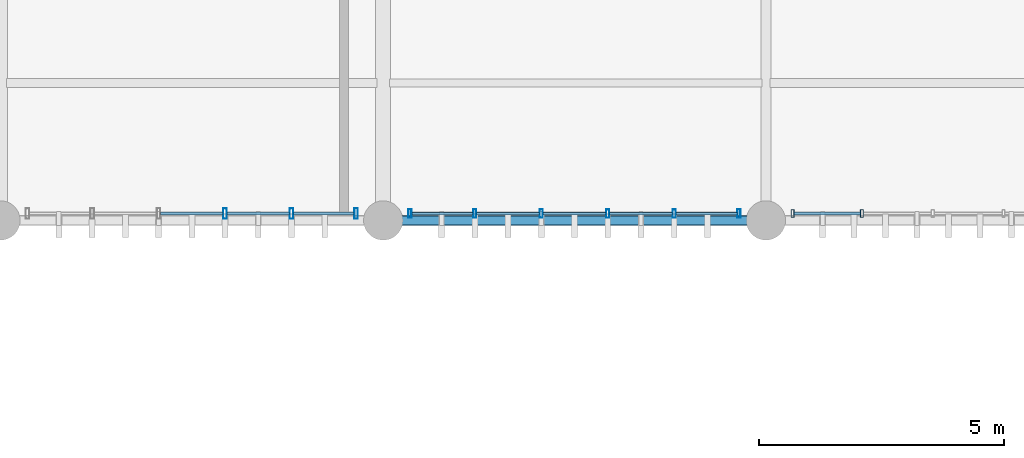
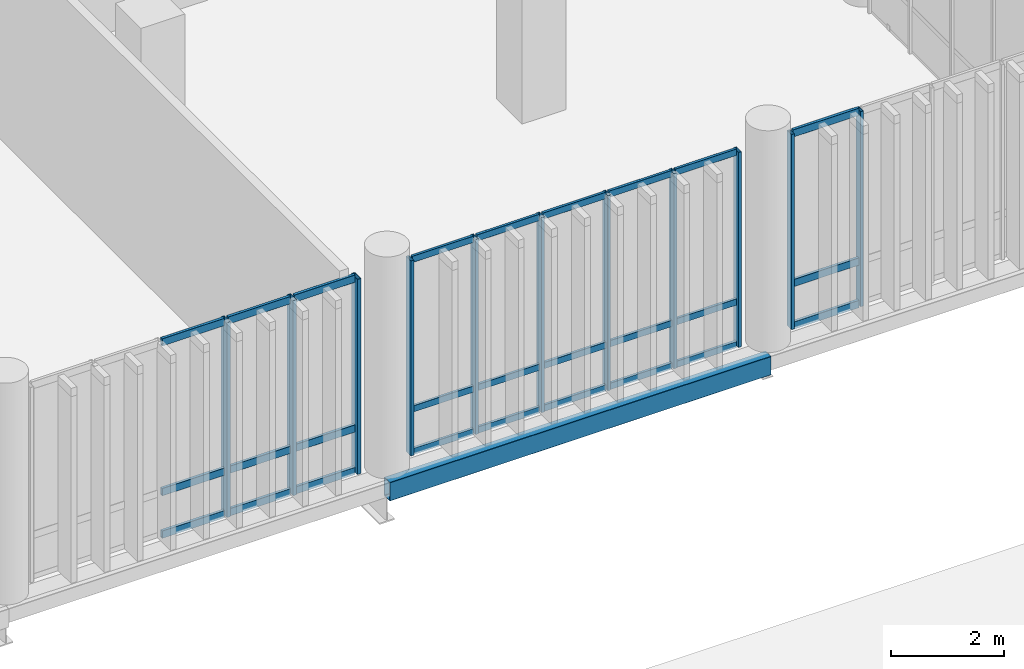
# One storey, part 65 of 109: 38 members, 1 beam, 3 elements without a shape of their own.
"""IFC4 building model written with IfcOpenShell, lengths in metres."""

import ifcopenshell
import ifcopenshell.guid

model = None  # the IFC model being written
_history = None  # IfcOwnerHistory: only IFC2X3 demands one
_inside = {}  # id of a spatial element -> (the spatial element, [elements in it])
_under = {}  # id of a project, library or spatial element -> (it, [spatial elements below it])
_declared = {}  # id of a project -> (the project, [libraries it declares])
_typed = {}  # id of a type object -> (the type object, [elements of that type])
_made_of = {}  # id of a material, layer set ... -> (it, [elements and type objects made of it])


def new_model(schema):
    """Start an empty IFC model of exactly this schema.

    Asked for "IFC4X3", IfcOpenShell would pick the latest addendum, in which some entities
    have other attributes; the version numbers below select the first issue.
    IFC2X3 requires an IfcOwnerHistory on every rooted entity: one is made here for all.
    """
    global model, _history
    if schema == "IFC4X3":
        model = ifcopenshell.file(schema_version=(4, 3, 0, 0))
    else:
        model = ifcopenshell.file(schema=schema)
    _inside.clear()
    _under.clear()
    _declared.clear()
    _typed.clear()
    _made_of.clear()
    _history = None
    if model.schema == "IFC2X3":
        org = make("IfcOrganization", Name="unknown")
        user = make(
            "IfcPersonAndOrganization",
            ThePerson=make("IfcPerson", FamilyName="unknown"),
            TheOrganization=org,
        )
        app = make(
            "IfcApplication",
            ApplicationDeveloper=org,
            Version="unknown",
            ApplicationFullName="unknown",
            ApplicationIdentifier="unknown",
        )
        _history = make(
            "IfcOwnerHistory",
            OwningUser=user,
            OwningApplication=app,
            ChangeAction="ADDED",
            CreationDate=0,
        )
    return model


def make(cls, **values):
    """One entity of the class cls with the attributes given. An attribute that is None is left unset."""
    return model.create_entity(
        cls, **{name: value for name, value in values.items() if value is not None}
    )


def rooted(cls, **values):
    """An entity with a GlobalId (a new one), such as an element, a storey or a relation."""
    return make(cls, GlobalId=ifcopenshell.guid.new(), OwnerHistory=_history, **values)


def si_unit(unit_type, name, prefix=None):
    """IfcSIUnit, for example si_unit("LENGTHUNIT", "METRE", prefix="MILLI")."""
    return make("IfcSIUnit", UnitType=unit_type, Prefix=prefix, Name=name)


def assignment(units):
    """IfcUnitAssignment: the units of a project."""
    return None if units is None else make("IfcUnitAssignment", Units=units)


def point(xyz):
    """IfcCartesianPoint."""
    return None if xyz is None else make("IfcCartesianPoint", Coordinates=xyz)


def direction(xyz):
    """IfcDirection."""
    return None if xyz is None else make("IfcDirection", DirectionRatios=xyz)


def frame(location, z_axis=None, x_axis=None):
    """IfcAxis2Placement3D, a coordinate frame: its origin and axes. An axis left out is left unset."""
    return make(
        "IfcAxis2Placement3D",
        Location=point(location),
        Axis=direction(z_axis),
        RefDirection=direction(x_axis),
    )


def frame_2d(location, x_axis=None):
    """IfcAxis2Placement2D, a coordinate frame in the plane: its origin and x axis."""
    return make(
        "IfcAxis2Placement2D", Location=point(location), RefDirection=direction(x_axis)
    )


def origin_with_axes():
    """The frame at (0, 0, 0) with the z axis (0, 0, 1) and the x axis (1, 0, 0) written out."""
    return frame((0.0, 0.0, 0.0), z_axis=(0.0, 0.0, 1.0), x_axis=(1.0, 0.0, 0.0))


def origin_2d_with_axis():
    """The frame at (0, 0) in the plane with the x axis (1, 0) written out."""
    return frame_2d((0.0, 0.0), x_axis=(1.0, 0.0))


def place(relative_to, where):
    """IfcLocalPlacement: puts the frame where relative to a parent placement (None: the world)."""
    return make(
        "IfcLocalPlacement", PlacementRelTo=relative_to, RelativePlacement=where
    )


def context(
    kind, dimensions, precision=None, world=None, true_north=None, identifier=None
):
    """IfcGeometricRepresentationContext, for example the 3D "Model" context."""
    return make(
        "IfcGeometricRepresentationContext",
        ContextIdentifier=identifier,
        ContextType=kind,
        CoordinateSpaceDimension=dimensions,
        Precision=precision,
        WorldCoordinateSystem=world,
        TrueNorth=true_north,
    )


def subcontext(parent, identifier, kind, view, scale=None):
    """IfcGeometricRepresentationSubContext, for example "Body" below "Model"."""
    return make(
        "IfcGeometricRepresentationSubContext",
        ContextIdentifier=identifier,
        ContextType=kind,
        ParentContext=parent,
        TargetScale=scale,
        TargetView=view,
    )


def project(units=None, contexts=None):
    """IfcProject with its units and contexts."""
    return rooted(
        "IfcProject",
        Name="project",
        RepresentationContexts=contexts,
        UnitsInContext=assignment(units),
    )


def spatial(cls, under=None, at=None, **own):
    """A site, building, storey or space (cls), placed at a placement, below another one or the project."""
    s = rooted(cls, ObjectPlacement=at, **own)
    if under is not None:
        _under.setdefault(under.id(), (under, []))[1].append(s)
    return s


def profile(cls, at=None, kind="AREA", **sizes):
    """A parametric profile (cls). Its sizes go by their IFC names, for example OverallWidth=200.0."""
    return make(cls, ProfileType=kind, Position=at, **sizes)


def hollow_rectangle(**sizes):
    """IfcRectangleHollowProfileDef."""
    return profile("IfcRectangleHollowProfileDef", **sizes)


def extrude(swept, where, along, depth):
    """IfcExtrudedAreaSolid: the profile swept, set in the frame where, extruded along a direction by depth."""
    return make(
        "IfcExtrudedAreaSolid",
        SweptArea=swept,
        Position=where,
        ExtrudedDirection=direction(along),
        Depth=depth,
    )


def shape(context_of_items, identifier, shape_type, items):
    """IfcShapeRepresentation: the items that make up one representation, for example the "Body"."""
    return make(
        "IfcShapeRepresentation",
        ContextOfItems=context_of_items,
        RepresentationIdentifier=identifier,
        RepresentationType=shape_type,
        Items=items,
    )


def material(Name=None, Category=None):
    """IfcMaterial."""
    return make("IfcMaterial", Name=Name, Category=Category)


def material_profile(
    of_material, cross_section, Name=None, Category=None, Priority=None
):
    """IfcMaterialProfile: a cross section and its material."""
    return make(
        "IfcMaterialProfile",
        Name=Name,
        Material=of_material,
        Profile=cross_section,
        Priority=Priority,
        Category=Category,
    )


def profile_set(profiles, Name=None, composite=None):
    """IfcMaterialProfileSet."""
    return make(
        "IfcMaterialProfileSet",
        Name=Name,
        MaterialProfiles=profiles,
        CompositeProfile=composite,
    )


def made_of(thing, what):
    """Note that an element or type object is made of a material, layer set ...; save() writes the relation."""
    if what is not None:
        _made_of.setdefault(what.id(), (what, []))[1].append(thing)
    return thing


def type_object(cls, material=None, **own):
    """A type object (cls), such as IfcWallType, which elements share."""
    return made_of(rooted(cls, **own), material)


def element(
    cls,
    number,
    at=None,
    inside=None,
    cuts=None,
    type_object=None,
    material=None,
    context=None,
    identifier="Body",
    shape_type=None,
    held_by="IfcProductDefinitionShape",
    body=None,
    shapes=None,
    **own,
):
    """One element of the class cls, such as IfcWall. Its Tag is "e" and its number.

    at: its placement. inside: the storey or other place that contains it. cuts: it is an
    opening in that element (IfcRelVoidsElement). A single representation is given by context,
    identifier, shape_type and body (its items); several are given by shapes. held_by: the class
    of the entity that holds the representations. save() writes the other relations.
    """
    e = rooted(cls, Tag="e%d" % number, ObjectPlacement=at, **own)
    if body is not None:
        shapes = [shape(context, identifier, shape_type, body)]
    if shapes is not None:
        e.Representation = make(held_by, Representations=shapes)
    if inside is not None:
        _inside.setdefault(inside.id(), (inside, []))[1].append(e)
    if cuts is not None:
        rooted(
            "IfcRelVoidsElement", RelatingBuildingElement=cuts, RelatedOpeningElement=e
        )
    if type_object is not None:
        _typed.setdefault(type_object.id(), (type_object, []))[1].append(e)
    return made_of(e, material)


def aggregate(whole, parts):
    """IfcRelAggregates: a whole, such as a stair, and the parts it consists of."""
    return rooted("IfcRelAggregates", RelatingObject=whole, RelatedObjects=parts)


def save(model, path):
    """Write the relations noted so far, then the file.

    IfcRelAggregates (storeys below a building ...), IfcRelContainedInSpatialStructure (elements
    in a storey), IfcRelDefinesByType, IfcRelAssociatesMaterial and IfcRelDeclares: one each for
    every whole, place, type object, material and project.
    """
    for whole, parts in _under.values():
        aggregate(whole, parts)
    for where, things in _inside.values():
        rooted(
            "IfcRelContainedInSpatialStructure",
            RelatedElements=things,
            RelatingStructure=where,
        )
    for kind, things in _typed.values():
        rooted("IfcRelDefinesByType", RelatedObjects=things, RelatingType=kind)
    for what, things in _made_of.values():
        rooted("IfcRelAssociatesMaterial", RelatedObjects=things, RelatingMaterial=what)
    for by, libraries in _declared.values():
        rooted("IfcRelDeclares", RelatingContext=by, RelatedDefinitions=libraries)
    model.write(path)


model = new_model("IFC4")

# Units and contexts
model_context = context("Model", 3, precision=1e-05, world=origin_with_axes(), true_north=direction((0.0, 1.0)))
body_context = subcontext(model_context, "Body", "Model", "MODEL_VIEW")
ifc_project = project(units=[si_unit("LENGTHUNIT", "METRE"), si_unit("AREAUNIT", "SQUARE_METRE"), si_unit("VOLUMEUNIT", "CUBIC_METRE"), si_unit("PLANEANGLEUNIT", "RADIAN"), si_unit("MASSUNIT", "GRAM", prefix="KILO"), si_unit("THERMODYNAMICTEMPERATUREUNIT", "KELVIN")], contexts=[model_context])

# Site, building, storey
site_placement = place(None, origin_with_axes())
site = spatial("IfcSite", under=ifc_project, at=site_placement, CompositionType="ELEMENT")
building_placement = place(site_placement, origin_with_axes())
building = spatial("IfcBuilding", under=site, at=building_placement, Name="Montbau Bow Law Courts", CompositionType="ELEMENT")
storey_placement = place(building_placement, frame((0.0, 0.0, 10.8), z_axis=(0.0, 0.0, 1.0), x_axis=(1.0, 0.0, 0.0)))
storey = spatial("IfcBuildingStorey", under=building, at=storey_placement, Name="L02", CompositionType="ELEMENT", Elevation=10.8)

# Beam
ifc_material_1 = material(Name="Steel CSA G40.21 Grade 350WT (350 MPa)", Category="steel")
ifc_material_profile_1 = material_profile(ifc_material_1, hollow_rectangle(XDim=0.203, YDim=0.406, WallThickness=0.0127, InnerFilletRadius=0.0254, OuterFilletRadius=0.0127, at=origin_2d_with_axis()), Name="HSS406X203X13", Category="Main", Priority=0)
ifc_profile_set_1 = profile_set([ifc_material_profile_1], Name="Steel CSA G40.21 Grade 350WT (350 MPa)")
beam_type = type_object("IfcBeamType", Name="B-SPN-01", PredefinedType="SPANDREL", material=ifc_profile_set_1)
beam_placement = place(None, frame((154.8, 69.6, 10.297), z_axis=(1.0, 0.0, 0.0), x_axis=(0.0, 1.0, 0.0)))
element("IfcBeam", 1, at=beam_placement, inside=storey, type_object=beam_type, Name="SPN-L02-S1167:bm2_1170", PredefinedType="SPANDREL", context=body_context, shape_type="SweptSolid", body=[
    extrude(hollow_rectangle(XDim=0.203, YDim=0.406, WallThickness=0.0127, InnerFilletRadius=0.0254, OuterFilletRadius=0.0127, at=origin_2d_with_axis()), origin_with_axes(), (0.0, 0.0, 1.0), 7.8),
])

# Curtain wall, members
ifc_material_2 = material(Name="Thermally Broken Extruded Aluminium AA 6063-T6", Category="aluminium")
curtain_wall_type = type_object("IfcCurtainWallType", Name="CW-SLT-01", PredefinedType="NOTDEFINED", material=ifc_material_2)
curtain_wall_1_placement = place(None, frame((147.515, 69.74, 10.8), z_axis=(0.0, 0.0, 1.0), x_axis=(1.0, 0.0, 0.0)))
curtain_wall_1 = element("IfcCurtainWall", 2, at=curtain_wall_1_placement, inside=storey, type_object=curtain_wall_type, Name="CW-L02-294:cw_0294", PredefinedType="NOTDEFINED")
ifc_material_profile_2 = material_profile(ifc_material_2, hollow_rectangle(XDim=0.075, YDim=0.22, WallThickness=0.005, InnerFilletRadius=0.01, OuterFilletRadius=0.005, at=origin_2d_with_axis()), Name="CWM-220X75", Category="Main", Priority=0)
ifc_profile_set_2 = profile_set([ifc_material_profile_2], Name="Thermally Broken Extruded Aluminium AA 6063-T6")
member_type_1 = type_object("IfcMemberType", Name="M-MUL-01", PredefinedType="MULLION", material=ifc_profile_set_2)
member_1_placement = place(None, frame((151.577, 69.74, 10.8), z_axis=(0.0, 0.0, 1.0), x_axis=(1.0, 0.0, 0.0)))
member_1 = element("IfcMember", 3, at=member_1_placement, type_object=member_type_1, Name="CW-L02-294-M04:cw_0294_M04", PredefinedType="MULLION", context=body_context, shape_type="SweptSolid", body=[
    extrude(hollow_rectangle(XDim=0.075, YDim=0.22, WallThickness=0.005, InnerFilletRadius=0.01, OuterFilletRadius=0.005, at=origin_2d_with_axis()), origin_with_axes(), (0.0, 0.0, 1.0), 4.22),
])
member_2_placement = place(None, frame((152.931, 69.74, 10.8), z_axis=(0.0, 0.0, 1.0), x_axis=(1.0, 0.0, 0.0)))
member_2 = element("IfcMember", 4, at=member_2_placement, type_object=member_type_1, Name="CW-L02-294-M05:cw_0294_M05", PredefinedType="MULLION", context=body_context, shape_type="SweptSolid", body=[
    extrude(hollow_rectangle(XDim=0.075, YDim=0.22, WallThickness=0.005, InnerFilletRadius=0.01, OuterFilletRadius=0.005, at=origin_2d_with_axis()), origin_with_axes(), (0.0, 0.0, 1.0), 4.22),
])
member_3_placement = place(None, frame((154.248, 69.74, 10.8), z_axis=(0.0, 0.0, 1.0), x_axis=(1.0, 0.0, 0.0)))
member_3 = element("IfcMember", 5, at=member_3_placement, type_object=member_type_1, Name="CW-L02-294-M06:cw_0294_M06", PredefinedType="MULLION", context=body_context, shape_type="SweptSolid", body=[
    extrude(hollow_rectangle(XDim=0.075, YDim=0.22, WallThickness=0.005, InnerFilletRadius=0.01, OuterFilletRadius=0.005, at=origin_2d_with_axis()), origin_with_axes(), (0.0, 0.0, 1.0), 4.22),
])

curtain_wall_2_placement = place(None, frame((155.315, 69.74, 10.8), z_axis=(0.0, 0.0, 1.0), x_axis=(1.0, 0.0, 0.0)))
curtain_wall_2 = element("IfcCurtainWall", 6, at=curtain_wall_2_placement, inside=storey, type_object=curtain_wall_type, Name="CW-L02-295:cw_0295", PredefinedType="NOTDEFINED")
ifc_material_profile_3 = material_profile(ifc_material_2, hollow_rectangle(XDim=0.065, YDim=0.18, WallThickness=0.005, InnerFilletRadius=0.01, OuterFilletRadius=0.005, at=origin_2d_with_axis()), Name="CWM-180X65", Category="Main", Priority=0)
ifc_profile_set_3 = profile_set([ifc_material_profile_3], Name="Thermally Broken Extruded Aluminium AA 6063-T6")
member_type_2 = type_object("IfcMemberType", Name="M-MUL-02", PredefinedType="MULLION", material=ifc_profile_set_3)
member_4_placement = place(None, frame((155.348, 69.74, 10.8), z_axis=(0.0, 0.0, 1.0), x_axis=(1.0, 0.0, 0.0)))
member_4 = element("IfcMember", 7, at=member_4_placement, type_object=member_type_2, Name="CW-L02-295-M01:cw_0295_M01", PredefinedType="MULLION", context=body_context, shape_type="SweptSolid", body=[
    extrude(hollow_rectangle(XDim=0.065, YDim=0.18, WallThickness=0.005, InnerFilletRadius=0.01, OuterFilletRadius=0.005, at=origin_2d_with_axis()), origin_with_axes(), (0.0, 0.0, 1.0), 4.22),
])
member_5_placement = place(None, frame((156.669, 69.74, 10.8), z_axis=(0.0, 0.0, 1.0), x_axis=(1.0, 0.0, 0.0)))
member_5 = element("IfcMember", 8, at=member_5_placement, type_object=member_type_2, Name="CW-L02-295-M02:cw_0295_M02", PredefinedType="MULLION", context=body_context, shape_type="SweptSolid", body=[
    extrude(hollow_rectangle(XDim=0.065, YDim=0.18, WallThickness=0.005, InnerFilletRadius=0.01, OuterFilletRadius=0.005, at=origin_2d_with_axis()), origin_with_axes(), (0.0, 0.0, 1.0), 4.22),
])
member_6_placement = place(None, frame((158.023, 69.74, 10.8), z_axis=(0.0, 0.0, 1.0), x_axis=(1.0, 0.0, 0.0)))
member_6 = element("IfcMember", 9, at=member_6_placement, type_object=member_type_2, Name="CW-L02-295-M03:cw_0295_M03", PredefinedType="MULLION", context=body_context, shape_type="SweptSolid", body=[
    extrude(hollow_rectangle(XDim=0.065, YDim=0.18, WallThickness=0.005, InnerFilletRadius=0.01, OuterFilletRadius=0.005, at=origin_2d_with_axis()), origin_with_axes(), (0.0, 0.0, 1.0), 4.22),
])
member_7_placement = place(None, frame((159.377, 69.74, 10.8), z_axis=(0.0, 0.0, 1.0), x_axis=(1.0, 0.0, 0.0)))
member_7 = element("IfcMember", 10, at=member_7_placement, type_object=member_type_2, Name="CW-L02-295-M04:cw_0295_M04", PredefinedType="MULLION", context=body_context, shape_type="SweptSolid", body=[
    extrude(hollow_rectangle(XDim=0.065, YDim=0.18, WallThickness=0.005, InnerFilletRadius=0.01, OuterFilletRadius=0.005, at=origin_2d_with_axis()), origin_with_axes(), (0.0, 0.0, 1.0), 4.22),
])
member_8_placement = place(None, frame((160.731, 69.74, 10.8), z_axis=(0.0, 0.0, 1.0), x_axis=(1.0, 0.0, 0.0)))
member_8 = element("IfcMember", 11, at=member_8_placement, type_object=member_type_2, Name="CW-L02-295-M05:cw_0295_M05", PredefinedType="MULLION", context=body_context, shape_type="SweptSolid", body=[
    extrude(hollow_rectangle(XDim=0.065, YDim=0.18, WallThickness=0.005, InnerFilletRadius=0.01, OuterFilletRadius=0.005, at=origin_2d_with_axis()), origin_with_axes(), (0.0, 0.0, 1.0), 4.22),
])
member_9_placement = place(None, frame((162.053, 69.74, 10.8), z_axis=(0.0, 0.0, 1.0), x_axis=(1.0, 0.0, 0.0)))
member_9 = element("IfcMember", 12, at=member_9_placement, type_object=member_type_2, Name="CW-L02-295-M06:cw_0295_M06", PredefinedType="MULLION", context=body_context, shape_type="SweptSolid", body=[
    extrude(hollow_rectangle(XDim=0.065, YDim=0.18, WallThickness=0.005, InnerFilletRadius=0.01, OuterFilletRadius=0.005, at=origin_2d_with_axis()), origin_with_axes(), (0.0, 0.0, 1.0), 4.22),
])

curtain_wall_3_placement = place(None, frame((163.115, 69.74, 10.8), z_axis=(0.0, 0.0, 1.0), x_axis=(1.0, 0.0, 0.0)))
curtain_wall_3 = element("IfcCurtainWall", 13, at=curtain_wall_3_placement, inside=storey, type_object=curtain_wall_type, Name="CW-L02-296:cw_0296", PredefinedType="NOTDEFINED")
ifc_material_profile_4 = material_profile(ifc_material_2, hollow_rectangle(XDim=0.06, YDim=0.16, WallThickness=0.004, InnerFilletRadius=0.008, OuterFilletRadius=0.004, at=origin_2d_with_axis()), Name="CWM-160X60", Category="Main", Priority=0)
ifc_profile_set_4 = profile_set([ifc_material_profile_4], Name="Thermally Broken Extruded Aluminium AA 6063-T6")
member_type_3 = type_object("IfcMemberType", Name="M-MUL-03", PredefinedType="MULLION", material=ifc_profile_set_4)
member_10_placement = place(None, frame((163.145, 69.74, 10.8), z_axis=(0.0, 0.0, 1.0), x_axis=(1.0, 0.0, 0.0)))
member_10 = element("IfcMember", 14, at=member_10_placement, type_object=member_type_3, Name="CW-L02-296-M01:cw_0296_M01", PredefinedType="MULLION", context=body_context, shape_type="SweptSolid", body=[
    extrude(hollow_rectangle(XDim=0.06, YDim=0.16, WallThickness=0.004, InnerFilletRadius=0.008, OuterFilletRadius=0.004, at=origin_2d_with_axis()), origin_with_axes(), (0.0, 0.0, 1.0), 4.22),
])
member_11_placement = place(None, frame((164.557, 69.74, 10.8), z_axis=(0.0, 0.0, 1.0), x_axis=(1.0, 0.0, 0.0)))
member_11 = element("IfcMember", 15, at=member_11_placement, type_object=member_type_3, Name="CW-L02-296-M02:cw_0296_M02", PredefinedType="MULLION", context=body_context, shape_type="SweptSolid", body=[
    extrude(hollow_rectangle(XDim=0.06, YDim=0.16, WallThickness=0.004, InnerFilletRadius=0.008, OuterFilletRadius=0.004, at=origin_2d_with_axis()), origin_with_axes(), (0.0, 0.0, 1.0), 4.22),
])

# Member
ifc_material_profile_5 = material_profile(ifc_material_2, hollow_rectangle(XDim=0.06, YDim=0.16, WallThickness=0.004, InnerFilletRadius=0.008, OuterFilletRadius=0.004, at=origin_2d_with_axis()), Name="CWT-160X60", Category="Main", Priority=0)
ifc_profile_set_5 = profile_set([ifc_material_profile_5], Name="Thermally Broken Extruded Aluminium AA 6063-T6")
member_type_4 = type_object("IfcMemberType", Name="M-TRN-01", PredefinedType="USERDEFINED", material=ifc_profile_set_5)
member_12_placement = place(None, frame((150.263, 69.74, 10.83), z_axis=(1.0, 0.0, 0.0), x_axis=(0.0, 1.0, 0.0)))
member_12 = element("IfcMember", 16, at=member_12_placement, type_object=member_type_4, Name="CW-L02-294-T03-1:cw_0294_T03_1", ObjectType="TRANSOM", PredefinedType="USERDEFINED", context=body_context, shape_type="SweptSolid", body=[
    extrude(hollow_rectangle(XDim=0.06, YDim=0.16, WallThickness=0.004, InnerFilletRadius=0.008, OuterFilletRadius=0.004, at=origin_2d_with_axis()), origin_with_axes(), (0.0, 0.0, 1.0), 1.275),
])

member_13_placement = place(None, frame((150.263, 69.74, 11.75), z_axis=(1.0, 0.0, 0.0), x_axis=(0.0, 1.0, 0.0)))
member_13 = element("IfcMember", 17, at=member_13_placement, type_object=member_type_4, Name="CW-L02-294-T03-2:cw_0294_T03_2", ObjectType="TRANSOM", PredefinedType="USERDEFINED", context=body_context, shape_type="SweptSolid", body=[
    extrude(hollow_rectangle(XDim=0.06, YDim=0.16, WallThickness=0.004, InnerFilletRadius=0.008, OuterFilletRadius=0.004, at=origin_2d_with_axis()), origin_with_axes(), (0.0, 0.0, 1.0), 1.275),
])

member_14_placement = place(None, frame((150.263, 69.74, 14.99), z_axis=(1.0, 0.0, 0.0), x_axis=(0.0, 1.0, 0.0)))
member_14 = element("IfcMember", 18, at=member_14_placement, type_object=member_type_4, Name="CW-L02-294-T03-3:cw_0294_T03_3", ObjectType="TRANSOM", PredefinedType="USERDEFINED", context=body_context, shape_type="SweptSolid", body=[
    extrude(hollow_rectangle(XDim=0.06, YDim=0.16, WallThickness=0.004, InnerFilletRadius=0.008, OuterFilletRadius=0.004, at=origin_2d_with_axis()), origin_with_axes(), (0.0, 0.0, 1.0), 1.275),
])

member_15_placement = place(None, frame((151.616, 69.74, 10.83), z_axis=(1.0, 0.0, 0.0), x_axis=(0.0, 1.0, 0.0)))
member_15 = element("IfcMember", 19, at=member_15_placement, type_object=member_type_4, Name="CW-L02-294-T04-1:cw_0294_T04_1", ObjectType="TRANSOM", PredefinedType="USERDEFINED", context=body_context, shape_type="SweptSolid", body=[
    extrude(hollow_rectangle(XDim=0.06, YDim=0.16, WallThickness=0.004, InnerFilletRadius=0.008, OuterFilletRadius=0.004, at=origin_2d_with_axis()), origin_with_axes(), (0.0, 0.0, 1.0), 1.276),
])

member_16_placement = place(None, frame((151.616, 69.74, 11.75), z_axis=(1.0, 0.0, 0.0), x_axis=(0.0, 1.0, 0.0)))
member_16 = element("IfcMember", 20, at=member_16_placement, type_object=member_type_4, Name="CW-L02-294-T04-2:cw_0294_T04_2", ObjectType="TRANSOM", PredefinedType="USERDEFINED", context=body_context, shape_type="SweptSolid", body=[
    extrude(hollow_rectangle(XDim=0.06, YDim=0.16, WallThickness=0.004, InnerFilletRadius=0.008, OuterFilletRadius=0.004, at=origin_2d_with_axis()), origin_with_axes(), (0.0, 0.0, 1.0), 1.276),
])

member_17_placement = place(None, frame((151.616, 69.74, 14.99), z_axis=(1.0, 0.0, 0.0), x_axis=(0.0, 1.0, 0.0)))
member_17 = element("IfcMember", 21, at=member_17_placement, type_object=member_type_4, Name="CW-L02-294-T04-3:cw_0294_T04_3", ObjectType="TRANSOM", PredefinedType="USERDEFINED", context=body_context, shape_type="SweptSolid", body=[
    extrude(hollow_rectangle(XDim=0.06, YDim=0.16, WallThickness=0.004, InnerFilletRadius=0.008, OuterFilletRadius=0.004, at=origin_2d_with_axis()), origin_with_axes(), (0.0, 0.0, 1.0), 1.276),
])

member_18_placement = place(None, frame((152.97, 69.74, 10.83), z_axis=(1.0, 0.0, 0.0), x_axis=(0.0, 1.0, 0.0)))
member_18 = element("IfcMember", 22, at=member_18_placement, type_object=member_type_4, Name="CW-L02-294-T05-1:cw_0294_T05_1", ObjectType="TRANSOM", PredefinedType="USERDEFINED", context=body_context, shape_type="SweptSolid", body=[
    extrude(hollow_rectangle(XDim=0.06, YDim=0.16, WallThickness=0.004, InnerFilletRadius=0.008, OuterFilletRadius=0.004, at=origin_2d_with_axis()), origin_with_axes(), (0.0, 0.0, 1.0), 1.239),
])

member_19_placement = place(None, frame((152.97, 69.74, 11.75), z_axis=(1.0, 0.0, 0.0), x_axis=(0.0, 1.0, 0.0)))
member_19 = element("IfcMember", 23, at=member_19_placement, type_object=member_type_4, Name="CW-L02-294-T05-2:cw_0294_T05_2", ObjectType="TRANSOM", PredefinedType="USERDEFINED", context=body_context, shape_type="SweptSolid", body=[
    extrude(hollow_rectangle(XDim=0.06, YDim=0.16, WallThickness=0.004, InnerFilletRadius=0.008, OuterFilletRadius=0.004, at=origin_2d_with_axis()), origin_with_axes(), (0.0, 0.0, 1.0), 1.239),
])

member_20_placement = place(None, frame((152.97, 69.74, 14.99), z_axis=(1.0, 0.0, 0.0), x_axis=(0.0, 1.0, 0.0)))
member_20 = element("IfcMember", 24, at=member_20_placement, type_object=member_type_4, Name="CW-L02-294-T05-3:cw_0294_T05_3", ObjectType="TRANSOM", PredefinedType="USERDEFINED", context=body_context, shape_type="SweptSolid", body=[
    extrude(hollow_rectangle(XDim=0.06, YDim=0.16, WallThickness=0.004, InnerFilletRadius=0.008, OuterFilletRadius=0.004, at=origin_2d_with_axis()), origin_with_axes(), (0.0, 0.0, 1.0), 1.239),
])

aggregate(curtain_wall_1, [member_1, member_2, member_3, member_12, member_13, member_14, member_15, member_16, member_17, member_18, member_19, member_20])

member_21_placement = place(None, frame((163.177, 69.74, 10.83), z_axis=(1.0, 0.0, 0.0), x_axis=(0.0, 1.0, 0.0)))
member_21 = element("IfcMember", 25, at=member_21_placement, type_object=member_type_4, Name="CW-L02-296-T01-1:cw_0296_T01_1", ObjectType="TRANSOM", PredefinedType="USERDEFINED", context=body_context, shape_type="SweptSolid", body=[
    extrude(hollow_rectangle(XDim=0.06, YDim=0.16, WallThickness=0.004, InnerFilletRadius=0.008, OuterFilletRadius=0.004, at=origin_2d_with_axis()), origin_with_axes(), (0.0, 0.0, 1.0), 1.348),
])

member_22_placement = place(None, frame((163.177, 69.74, 11.75), z_axis=(1.0, 0.0, 0.0), x_axis=(0.0, 1.0, 0.0)))
member_22 = element("IfcMember", 26, at=member_22_placement, type_object=member_type_4, Name="CW-L02-296-T01-2:cw_0296_T01_2", ObjectType="TRANSOM", PredefinedType="USERDEFINED", context=body_context, shape_type="SweptSolid", body=[
    extrude(hollow_rectangle(XDim=0.06, YDim=0.16, WallThickness=0.004, InnerFilletRadius=0.008, OuterFilletRadius=0.004, at=origin_2d_with_axis()), origin_with_axes(), (0.0, 0.0, 1.0), 1.348),
])

member_23_placement = place(None, frame((163.177, 69.74, 14.99), z_axis=(1.0, 0.0, 0.0), x_axis=(0.0, 1.0, 0.0)))
member_23 = element("IfcMember", 27, at=member_23_placement, type_object=member_type_4, Name="CW-L02-296-T01-3:cw_0296_T01_3", ObjectType="TRANSOM", PredefinedType="USERDEFINED", context=body_context, shape_type="SweptSolid", body=[
    extrude(hollow_rectangle(XDim=0.06, YDim=0.16, WallThickness=0.004, InnerFilletRadius=0.008, OuterFilletRadius=0.004, at=origin_2d_with_axis()), origin_with_axes(), (0.0, 0.0, 1.0), 1.348),
])

aggregate(curtain_wall_3, [member_10, member_11, member_21, member_22, member_23])

ifc_material_profile_6 = material_profile(ifc_material_2, hollow_rectangle(XDim=0.055, YDim=0.14, WallThickness=0.004, InnerFilletRadius=0.008, OuterFilletRadius=0.004, at=origin_2d_with_axis()), Name="CWT-140X55", Category="Main", Priority=0)
ifc_profile_set_6 = profile_set([ifc_material_profile_6], Name="Thermally Broken Extruded Aluminium AA 6063-T6")
member_type_5 = type_object("IfcMemberType", Name="M-TRN-02", PredefinedType="USERDEFINED", material=ifc_profile_set_6)
member_24_placement = place(None, frame((155.383, 69.74, 10.828), z_axis=(1.0, 0.0, 0.0), x_axis=(0.0, 1.0, 0.0)))
member_24 = element("IfcMember", 28, at=member_24_placement, type_object=member_type_5, Name="CW-L02-295-T01-1:cw_0295_T01_1", ObjectType="TRANSOM", PredefinedType="USERDEFINED", context=body_context, shape_type="SweptSolid", body=[
    extrude(hollow_rectangle(XDim=0.055, YDim=0.14, WallThickness=0.004, InnerFilletRadius=0.008, OuterFilletRadius=0.004, at=origin_2d_with_axis()), origin_with_axes(), (0.0, 0.0, 1.0), 1.252),
])

member_25_placement = place(None, frame((155.383, 69.74, 11.75), z_axis=(1.0, 0.0, 0.0), x_axis=(0.0, 1.0, 0.0)))
member_25 = element("IfcMember", 29, at=member_25_placement, type_object=member_type_5, Name="CW-L02-295-T01-2:cw_0295_T01_2", ObjectType="TRANSOM", PredefinedType="USERDEFINED", context=body_context, shape_type="SweptSolid", body=[
    extrude(hollow_rectangle(XDim=0.055, YDim=0.14, WallThickness=0.004, InnerFilletRadius=0.008, OuterFilletRadius=0.004, at=origin_2d_with_axis()), origin_with_axes(), (0.0, 0.0, 1.0), 1.252),
])

member_26_placement = place(None, frame((155.383, 69.74, 14.992), z_axis=(1.0, 0.0, 0.0), x_axis=(0.0, 1.0, 0.0)))
member_26 = element("IfcMember", 30, at=member_26_placement, type_object=member_type_5, Name="CW-L02-295-T01-3:cw_0295_T01_3", ObjectType="TRANSOM", PredefinedType="USERDEFINED", context=body_context, shape_type="SweptSolid", body=[
    extrude(hollow_rectangle(XDim=0.055, YDim=0.14, WallThickness=0.004, InnerFilletRadius=0.008, OuterFilletRadius=0.004, at=origin_2d_with_axis()), origin_with_axes(), (0.0, 0.0, 1.0), 1.252),
])

member_27_placement = place(None, frame((156.704, 69.74, 10.828), z_axis=(1.0, 0.0, 0.0), x_axis=(0.0, 1.0, 0.0)))
member_27 = element("IfcMember", 31, at=member_27_placement, type_object=member_type_5, Name="CW-L02-295-T02-1:cw_0295_T02_1", ObjectType="TRANSOM", PredefinedType="USERDEFINED", context=body_context, shape_type="SweptSolid", body=[
    extrude(hollow_rectangle(XDim=0.055, YDim=0.14, WallThickness=0.004, InnerFilletRadius=0.008, OuterFilletRadius=0.004, at=origin_2d_with_axis()), origin_with_axes(), (0.0, 0.0, 1.0), 1.285),
])

member_28_placement = place(None, frame((156.704, 69.74, 11.75), z_axis=(1.0, 0.0, 0.0), x_axis=(0.0, 1.0, 0.0)))
member_28 = element("IfcMember", 32, at=member_28_placement, type_object=member_type_5, Name="CW-L02-295-T02-2:cw_0295_T02_2", ObjectType="TRANSOM", PredefinedType="USERDEFINED", context=body_context, shape_type="SweptSolid", body=[
    extrude(hollow_rectangle(XDim=0.055, YDim=0.14, WallThickness=0.004, InnerFilletRadius=0.008, OuterFilletRadius=0.004, at=origin_2d_with_axis()), origin_with_axes(), (0.0, 0.0, 1.0), 1.285),
])

member_29_placement = place(None, frame((156.704, 69.74, 14.992), z_axis=(1.0, 0.0, 0.0), x_axis=(0.0, 1.0, 0.0)))
member_29 = element("IfcMember", 33, at=member_29_placement, type_object=member_type_5, Name="CW-L02-295-T02-3:cw_0295_T02_3", ObjectType="TRANSOM", PredefinedType="USERDEFINED", context=body_context, shape_type="SweptSolid", body=[
    extrude(hollow_rectangle(XDim=0.055, YDim=0.14, WallThickness=0.004, InnerFilletRadius=0.008, OuterFilletRadius=0.004, at=origin_2d_with_axis()), origin_with_axes(), (0.0, 0.0, 1.0), 1.285),
])

member_30_placement = place(None, frame((158.058, 69.74, 10.828), z_axis=(1.0, 0.0, 0.0), x_axis=(0.0, 1.0, 0.0)))
member_30 = element("IfcMember", 34, at=member_30_placement, type_object=member_type_5, Name="CW-L02-295-T03-1:cw_0295_T03_1", ObjectType="TRANSOM", PredefinedType="USERDEFINED", context=body_context, shape_type="SweptSolid", body=[
    extrude(hollow_rectangle(XDim=0.055, YDim=0.14, WallThickness=0.004, InnerFilletRadius=0.008, OuterFilletRadius=0.004, at=origin_2d_with_axis()), origin_with_axes(), (0.0, 0.0, 1.0), 1.285),
])

member_31_placement = place(None, frame((158.058, 69.74, 11.75), z_axis=(1.0, 0.0, 0.0), x_axis=(0.0, 1.0, 0.0)))
member_31 = element("IfcMember", 35, at=member_31_placement, type_object=member_type_5, Name="CW-L02-295-T03-2:cw_0295_T03_2", ObjectType="TRANSOM", PredefinedType="USERDEFINED", context=body_context, shape_type="SweptSolid", body=[
    extrude(hollow_rectangle(XDim=0.055, YDim=0.14, WallThickness=0.004, InnerFilletRadius=0.008, OuterFilletRadius=0.004, at=origin_2d_with_axis()), origin_with_axes(), (0.0, 0.0, 1.0), 1.285),
])

member_32_placement = place(None, frame((158.058, 69.74, 14.992), z_axis=(1.0, 0.0, 0.0), x_axis=(0.0, 1.0, 0.0)))
member_32 = element("IfcMember", 36, at=member_32_placement, type_object=member_type_5, Name="CW-L02-295-T03-3:cw_0295_T03_3", ObjectType="TRANSOM", PredefinedType="USERDEFINED", context=body_context, shape_type="SweptSolid", body=[
    extrude(hollow_rectangle(XDim=0.055, YDim=0.14, WallThickness=0.004, InnerFilletRadius=0.008, OuterFilletRadius=0.004, at=origin_2d_with_axis()), origin_with_axes(), (0.0, 0.0, 1.0), 1.285),
])

member_33_placement = place(None, frame((159.411, 69.74, 10.828), z_axis=(1.0, 0.0, 0.0), x_axis=(0.0, 1.0, 0.0)))
member_33 = element("IfcMember", 37, at=member_33_placement, type_object=member_type_5, Name="CW-L02-295-T04-1:cw_0295_T04_1", ObjectType="TRANSOM", PredefinedType="USERDEFINED", context=body_context, shape_type="SweptSolid", body=[
    extrude(hollow_rectangle(XDim=0.055, YDim=0.14, WallThickness=0.004, InnerFilletRadius=0.008, OuterFilletRadius=0.004, at=origin_2d_with_axis()), origin_with_axes(), (0.0, 0.0, 1.0), 1.286),
])

member_34_placement = place(None, frame((159.411, 69.74, 11.75), z_axis=(1.0, 0.0, 0.0), x_axis=(0.0, 1.0, 0.0)))
member_34 = element("IfcMember", 38, at=member_34_placement, type_object=member_type_5, Name="CW-L02-295-T04-2:cw_0295_T04_2", ObjectType="TRANSOM", PredefinedType="USERDEFINED", context=body_context, shape_type="SweptSolid", body=[
    extrude(hollow_rectangle(XDim=0.055, YDim=0.14, WallThickness=0.004, InnerFilletRadius=0.008, OuterFilletRadius=0.004, at=origin_2d_with_axis()), origin_with_axes(), (0.0, 0.0, 1.0), 1.286),
])

member_35_placement = place(None, frame((159.411, 69.74, 14.992), z_axis=(1.0, 0.0, 0.0), x_axis=(0.0, 1.0, 0.0)))
member_35 = element("IfcMember", 39, at=member_35_placement, type_object=member_type_5, Name="CW-L02-295-T04-3:cw_0295_T04_3", ObjectType="TRANSOM", PredefinedType="USERDEFINED", context=body_context, shape_type="SweptSolid", body=[
    extrude(hollow_rectangle(XDim=0.055, YDim=0.14, WallThickness=0.004, InnerFilletRadius=0.008, OuterFilletRadius=0.004, at=origin_2d_with_axis()), origin_with_axes(), (0.0, 0.0, 1.0), 1.286),
])

member_36_placement = place(None, frame((160.765, 69.74, 10.828), z_axis=(1.0, 0.0, 0.0), x_axis=(0.0, 1.0, 0.0)))
member_36 = element("IfcMember", 40, at=member_36_placement, type_object=member_type_5, Name="CW-L02-295-T05-1:cw_0295_T05_1", ObjectType="TRANSOM", PredefinedType="USERDEFINED", context=body_context, shape_type="SweptSolid", body=[
    extrude(hollow_rectangle(XDim=0.055, YDim=0.14, WallThickness=0.004, InnerFilletRadius=0.008, OuterFilletRadius=0.004, at=origin_2d_with_axis()), origin_with_axes(), (0.0, 0.0, 1.0), 1.254),
])

member_37_placement = place(None, frame((160.765, 69.74, 11.75), z_axis=(1.0, 0.0, 0.0), x_axis=(0.0, 1.0, 0.0)))
member_37 = element("IfcMember", 41, at=member_37_placement, type_object=member_type_5, Name="CW-L02-295-T05-2:cw_0295_T05_2", ObjectType="TRANSOM", PredefinedType="USERDEFINED", context=body_context, shape_type="SweptSolid", body=[
    extrude(hollow_rectangle(XDim=0.055, YDim=0.14, WallThickness=0.004, InnerFilletRadius=0.008, OuterFilletRadius=0.004, at=origin_2d_with_axis()), origin_with_axes(), (0.0, 0.0, 1.0), 1.254),
])

member_38_placement = place(None, frame((160.765, 69.74, 14.992), z_axis=(1.0, 0.0, 0.0), x_axis=(0.0, 1.0, 0.0)))
member_38 = element("IfcMember", 42, at=member_38_placement, type_object=member_type_5, Name="CW-L02-295-T05-3:cw_0295_T05_3", ObjectType="TRANSOM", PredefinedType="USERDEFINED", context=body_context, shape_type="SweptSolid", body=[
    extrude(hollow_rectangle(XDim=0.055, YDim=0.14, WallThickness=0.004, InnerFilletRadius=0.008, OuterFilletRadius=0.004, at=origin_2d_with_axis()), origin_with_axes(), (0.0, 0.0, 1.0), 1.254),
])

aggregate(curtain_wall_2, [member_4, member_5, member_6, member_7, member_8, member_9, member_24, member_25, member_26, member_27, member_28, member_29, member_30, member_31, member_32, member_33, member_34, member_35, member_36, member_37, member_38])

save(model, "model.ifc")
